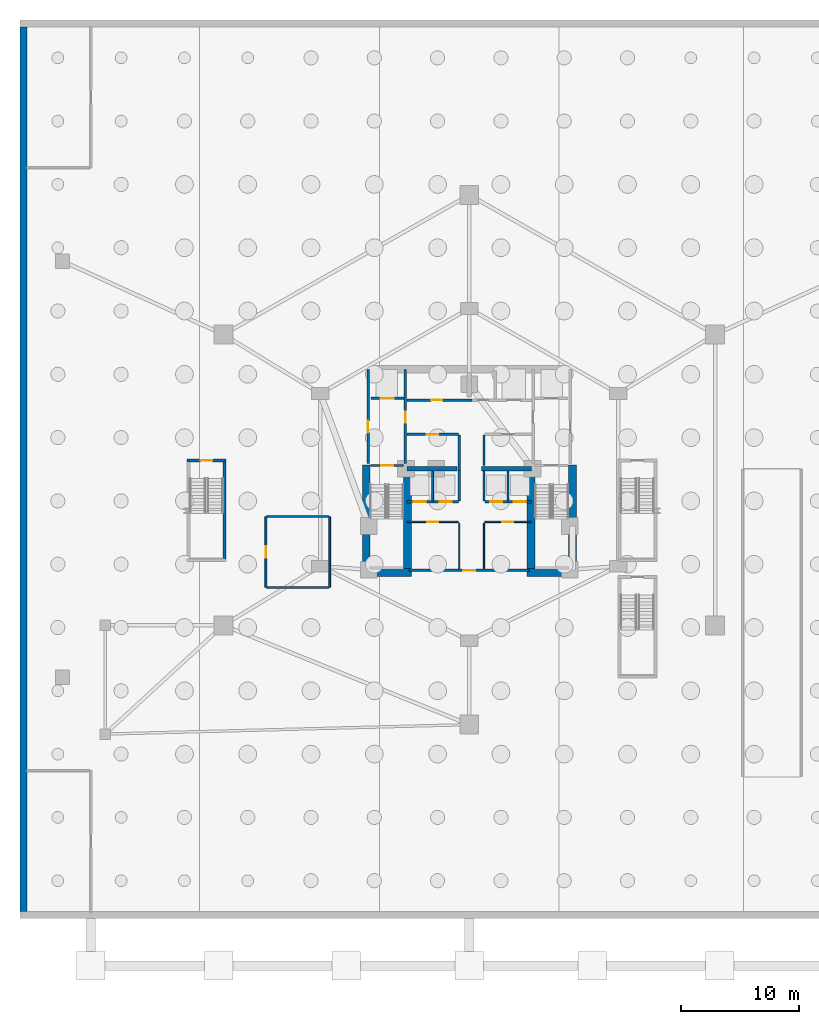
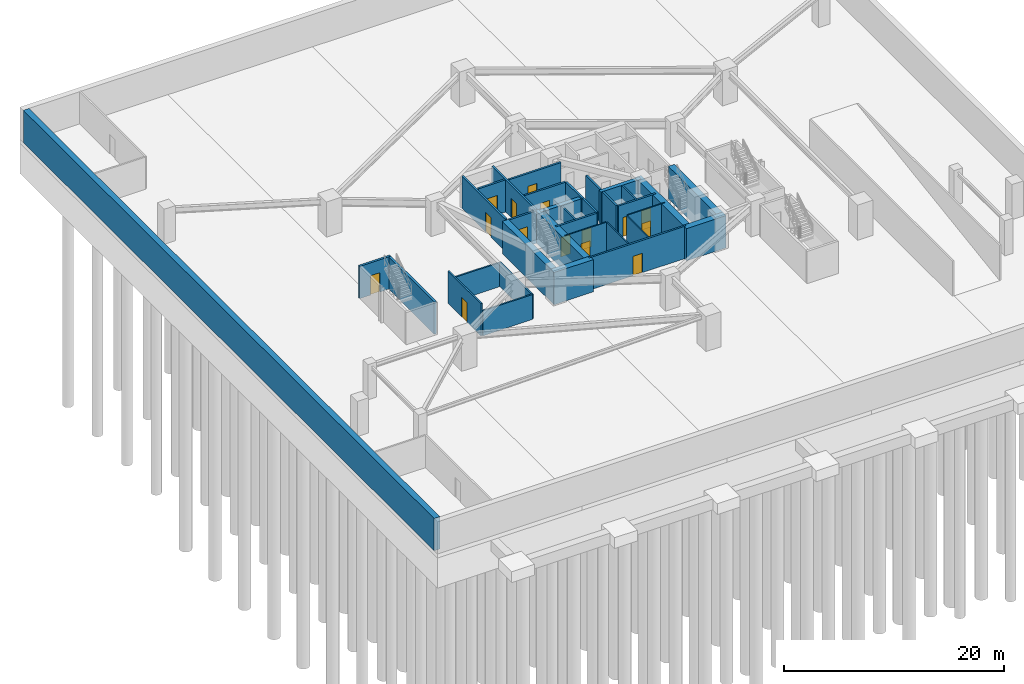
# One storey, part 7 of 14: 34 walls, 15 doors, 15 openings.
"""IFC4 building model written with IfcOpenShell, lengths in metres."""

import ifcopenshell
import ifcopenshell.guid

model = None  # the IFC model being written
_history = None  # IfcOwnerHistory: only IFC2X3 demands one
_inside = {}  # id of a spatial element -> (the spatial element, [elements in it])
_under = {}  # id of a project, library or spatial element -> (it, [spatial elements below it])
_declared = {}  # id of a project -> (the project, [libraries it declares])
_typed = {}  # id of a type object -> (the type object, [elements of that type])
_made_of = {}  # id of a material, layer set ... -> (it, [elements and type objects made of it])


def new_model(schema):
    """Start an empty IFC model of exactly this schema.

    Asked for "IFC4X3", IfcOpenShell would pick the latest addendum, in which some entities
    have other attributes; the version numbers below select the first issue.
    IFC2X3 requires an IfcOwnerHistory on every rooted entity: one is made here for all.
    """
    global model, _history
    if schema == "IFC4X3":
        model = ifcopenshell.file(schema_version=(4, 3, 0, 0))
    else:
        model = ifcopenshell.file(schema=schema)
    _inside.clear()
    _under.clear()
    _declared.clear()
    _typed.clear()
    _made_of.clear()
    _history = None
    if model.schema == "IFC2X3":
        org = make("IfcOrganization", Name="unknown")
        user = make(
            "IfcPersonAndOrganization",
            ThePerson=make("IfcPerson", FamilyName="unknown"),
            TheOrganization=org,
        )
        app = make(
            "IfcApplication",
            ApplicationDeveloper=org,
            Version="unknown",
            ApplicationFullName="unknown",
            ApplicationIdentifier="unknown",
        )
        _history = make(
            "IfcOwnerHistory",
            OwningUser=user,
            OwningApplication=app,
            ChangeAction="ADDED",
            CreationDate=0,
        )
    return model


def make(cls, **values):
    """One entity of the class cls with the attributes given. An attribute that is None is left unset."""
    return model.create_entity(
        cls, **{name: value for name, value in values.items() if value is not None}
    )


def rooted(cls, **values):
    """An entity with a GlobalId (a new one), such as an element, a storey or a relation."""
    return make(cls, GlobalId=ifcopenshell.guid.new(), OwnerHistory=_history, **values)


def si_unit(unit_type, name, prefix=None):
    """IfcSIUnit, for example si_unit("LENGTHUNIT", "METRE", prefix="MILLI")."""
    return make("IfcSIUnit", UnitType=unit_type, Prefix=prefix, Name=name)


def assignment(units):
    """IfcUnitAssignment: the units of a project."""
    return None if units is None else make("IfcUnitAssignment", Units=units)


def point(xyz):
    """IfcCartesianPoint."""
    return None if xyz is None else make("IfcCartesianPoint", Coordinates=xyz)


def direction(xyz):
    """IfcDirection."""
    return None if xyz is None else make("IfcDirection", DirectionRatios=xyz)


def frame(location, z_axis=None, x_axis=None):
    """IfcAxis2Placement3D, a coordinate frame: its origin and axes. An axis left out is left unset."""
    return make(
        "IfcAxis2Placement3D",
        Location=point(location),
        Axis=direction(z_axis),
        RefDirection=direction(x_axis),
    )


def frame_2d(location, x_axis=None):
    """IfcAxis2Placement2D, a coordinate frame in the plane: its origin and x axis."""
    return make(
        "IfcAxis2Placement2D", Location=point(location), RefDirection=direction(x_axis)
    )


def origin():
    """The frame at (0, 0, 0) with its axes left unset."""
    return frame((0.0, 0.0, 0.0))


def place(relative_to, where):
    """IfcLocalPlacement: puts the frame where relative to a parent placement (None: the world)."""
    return make(
        "IfcLocalPlacement", PlacementRelTo=relative_to, RelativePlacement=where
    )


def context(
    kind, dimensions, precision=None, world=None, true_north=None, identifier=None
):
    """IfcGeometricRepresentationContext, for example the 3D "Model" context."""
    return make(
        "IfcGeometricRepresentationContext",
        ContextIdentifier=identifier,
        ContextType=kind,
        CoordinateSpaceDimension=dimensions,
        Precision=precision,
        WorldCoordinateSystem=world,
        TrueNorth=true_north,
    )


def subcontext(parent, identifier, kind, view, scale=None):
    """IfcGeometricRepresentationSubContext, for example "Body" below "Model"."""
    return make(
        "IfcGeometricRepresentationSubContext",
        ContextIdentifier=identifier,
        ContextType=kind,
        ParentContext=parent,
        TargetScale=scale,
        TargetView=view,
    )


def project(units=None, contexts=None):
    """IfcProject with its units and contexts."""
    return rooted(
        "IfcProject",
        Name="project",
        RepresentationContexts=contexts,
        UnitsInContext=assignment(units),
    )


def spatial(cls, under=None, at=None, **own):
    """A site, building, storey or space (cls), placed at a placement, below another one or the project."""
    s = rooted(cls, ObjectPlacement=at, **own)
    if under is not None:
        _under.setdefault(under.id(), (under, []))[1].append(s)
    return s


def profile(cls, at=None, kind="AREA", **sizes):
    """A parametric profile (cls). Its sizes go by their IFC names, for example OverallWidth=200.0."""
    return make(cls, ProfileType=kind, Position=at, **sizes)


def rectangle(**sizes):
    """IfcRectangleProfileDef."""
    return profile("IfcRectangleProfileDef", **sizes)


def extrude(swept, where, along, depth):
    """IfcExtrudedAreaSolid: the profile swept, set in the frame where, extruded along a direction by depth."""
    return make(
        "IfcExtrudedAreaSolid",
        SweptArea=swept,
        Position=where,
        ExtrudedDirection=direction(along),
        Depth=depth,
    )


def shape(context_of_items, identifier, shape_type, items):
    """IfcShapeRepresentation: the items that make up one representation, for example the "Body"."""
    return make(
        "IfcShapeRepresentation",
        ContextOfItems=context_of_items,
        RepresentationIdentifier=identifier,
        RepresentationType=shape_type,
        Items=items,
    )


def material(Name=None, Category=None):
    """IfcMaterial."""
    return make("IfcMaterial", Name=Name, Category=Category)


def layer(
    of_material, thickness, ventilated=None, Name=None, Category=None, Priority=None
):
    """IfcMaterialLayer: one layer of a wall or slab, of a material (None: an air gap)."""
    return make(
        "IfcMaterialLayer",
        Material=of_material,
        LayerThickness=thickness,
        IsVentilated=ventilated,
        Name=Name,
        Category=Category,
        Priority=Priority,
    )


def layer_set(layers, Name=None):
    """IfcMaterialLayerSet."""
    return make("IfcMaterialLayerSet", MaterialLayers=layers, LayerSetName=Name)


def made_of(thing, what):
    """Note that an element or type object is made of a material, layer set ...; save() writes the relation."""
    if what is not None:
        _made_of.setdefault(what.id(), (what, []))[1].append(thing)
    return thing


def type_object(cls, material=None, **own):
    """A type object (cls), such as IfcWallType, which elements share."""
    return made_of(rooted(cls, **own), material)


def element(
    cls,
    number,
    at=None,
    inside=None,
    cuts=None,
    type_object=None,
    material=None,
    context=None,
    identifier="Body",
    shape_type=None,
    held_by="IfcProductDefinitionShape",
    body=None,
    shapes=None,
    **own,
):
    """One element of the class cls, such as IfcWall. Its Tag is "e" and its number.

    at: its placement. inside: the storey or other place that contains it. cuts: it is an
    opening in that element (IfcRelVoidsElement). A single representation is given by context,
    identifier, shape_type and body (its items); several are given by shapes. held_by: the class
    of the entity that holds the representations. save() writes the other relations.
    """
    e = rooted(cls, Tag="e%d" % number, ObjectPlacement=at, **own)
    if body is not None:
        shapes = [shape(context, identifier, shape_type, body)]
    if shapes is not None:
        e.Representation = make(held_by, Representations=shapes)
    if inside is not None:
        _inside.setdefault(inside.id(), (inside, []))[1].append(e)
    if cuts is not None:
        rooted(
            "IfcRelVoidsElement", RelatingBuildingElement=cuts, RelatedOpeningElement=e
        )
    if type_object is not None:
        _typed.setdefault(type_object.id(), (type_object, []))[1].append(e)
    return made_of(e, material)


def fill(opening, filler):
    """IfcRelFillsElement: the door or window that sits in an opening."""
    return rooted(
        "IfcRelFillsElement",
        RelatingOpeningElement=opening,
        RelatedBuildingElement=filler,
    )


def aggregate(whole, parts):
    """IfcRelAggregates: a whole, such as a stair, and the parts it consists of."""
    return rooted("IfcRelAggregates", RelatingObject=whole, RelatedObjects=parts)


def save(model, path):
    """Write the relations noted so far, then the file.

    IfcRelAggregates (storeys below a building ...), IfcRelContainedInSpatialStructure (elements
    in a storey), IfcRelDefinesByType, IfcRelAssociatesMaterial and IfcRelDeclares: one each for
    every whole, place, type object, material and project.
    """
    for whole, parts in _under.values():
        aggregate(whole, parts)
    for where, things in _inside.values():
        rooted(
            "IfcRelContainedInSpatialStructure",
            RelatedElements=things,
            RelatingStructure=where,
        )
    for kind, things in _typed.values():
        rooted("IfcRelDefinesByType", RelatedObjects=things, RelatingType=kind)
    for what, things in _made_of.values():
        rooted("IfcRelAssociatesMaterial", RelatedObjects=things, RelatingMaterial=what)
    for by, libraries in _declared.values():
        rooted("IfcRelDeclares", RelatingContext=by, RelatedDefinitions=libraries)
    model.write(path)


model = new_model("IFC4")

# Units and contexts
model_context = context("Model", 3, precision=1e-05, world=origin(), true_north=direction((0.0, 1.0)))
body_context = subcontext(model_context, "Body", "Model", "MODEL_VIEW")
ifc_project = project(units=[si_unit("LENGTHUNIT", "METRE"), si_unit("AREAUNIT", "SQUARE_METRE"), si_unit("VOLUMEUNIT", "CUBIC_METRE"), si_unit("PLANEANGLEUNIT", "RADIAN"), si_unit("MASSUNIT", "GRAM", prefix="KILO")], contexts=[model_context])

# Site, building, storey
site_placement = place(None, origin())
site = spatial("IfcSite", under=ifc_project, at=site_placement, CompositionType="ELEMENT")
building_placement = place(site_placement, origin())
building = spatial("IfcBuilding", under=site, at=building_placement, Name="Miruveldt Soraemaru", CompositionType="ELEMENT")
storey_placement = place(building_placement, frame((0.0, 0.0, -15.60009765625)))
storey = spatial("IfcBuildingStorey", under=building, at=storey_placement, Name="B4", CompositionType="ELEMENT", Elevation=-15.60009765625)

# Walls
ifc_material_1 = material(Name="Concrete C70/85 (70 MPa)", Category="concrete")
ifc_layer_1 = layer(ifc_material_1, 0.5, Name="Concrete C70/85 (70 MPa)", Category="concrete")
ifc_layer_set_1 = layer_set([ifc_layer_1], Name="Concrete C70/85 (70 MPa)")
wall_type_1 = type_object("IfcWallType", Name="WALL-BW-500", PredefinedType="SHEAR", material=ifc_layer_set_1)
for number, where, z_axis, x_axis, name in (
    (1, (38.75, 44.050048828125, 0.0), (0.0, 0.0, 1.0), (1.0, 0.0, 0.0), "B4 Core Buttress Shear Wall BW"),
    (2, (45.050048828125, 44.050048828125, 0.0), (0.0, 0.0, 1.0), (1.0, 0.0, 0.0), "B4 Core Buttress Shear Wall BE"),
):
    element("IfcWall", number, at=place(storey_placement, frame(where, z_axis=z_axis, x_axis=x_axis)), inside=storey, type_object=wall_type_1, Name=name, PredefinedType="SHEAR", context=body_context, shape_type="SweptSolid", body=[
        extrude(rectangle(XDim=4.199951171875, YDim=0.39990234375, at=frame_2d((2.10009765625, 0.0))), origin(), (0.0, 0.0, 1.0), 3.580078125),
    ])

# Wall, opening, door
ifc_material_2 = material(Name="Concrete C50/60 (50 MPa)", Category="concrete")
ifc_layer_2 = layer(ifc_material_2, 0.419921875, Name="Concrete C50/60 (50 MPa)", Category="concrete")
ifc_layer_set_2 = layer_set([ifc_layer_2], Name="Concrete C50/60 (50 MPa)")
wall_type_2 = type_object("IfcWallType", Name="WALL-CW-420", PredefinedType="SHEAR", material=ifc_layer_set_2)
wall_1_placement = place(storey_placement, frame((20.1298828125, 44.75, 0.0), z_axis=(0.0, 0.0, 1.0), x_axis=(1.0, 0.0, 0.0)))
wall_1 = element("IfcWall", 3, at=wall_1_placement, inside=storey, type_object=wall_type_2, Name="B4 Protected Exit Stair ST-3 Structural Shaft Wall N", PredefinedType="SHEAR", context=body_context, shape_type="SweptSolid", body=[
    extrude(rectangle(XDim=3.2900390625, YDim=0.239990234375, at=frame_2d((1.64501953125, 0.0))), origin(), (0.0, 0.0, 1.0), 3.580078125),
])
opening_1_placement = place(wall_1_placement, frame((1.14501953125, 0.0, 0.0)))
opening_1 = element("IfcOpeningElement", 4, at=opening_1_placement, cuts=wall_1, Name="Opening FD1", PredefinedType="OPENING", context=body_context, shape_type="SweptSolid", body=[
    extrude(rectangle(XDim=1.0, YDim=2.14990234375, at=frame_2d((0.5, 1.074951171875))), frame((0.0, 0.1298828125, 0.0), z_axis=(0.0, -1.0, 0.0), x_axis=(1.0, 0.0, 0.0)), (0.0, 0.0, 1.0), 0.260009765625),
])
ifc_material_3 = material(Name="Anodised aluminium EN AW-6063 T6", Category="aluminium")
door_type_1 = type_object("IfcDoorType", Name="DOOR-FD1-1000", OperationType="NOTDEFINED", PredefinedType="DOOR", material=ifc_material_3)
door_1_placement = place(opening_1_placement, frame((1.0, 0.0, 0.0), z_axis=(0.0, 0.0, 1.0), x_axis=(-1.0, 0.0, 0.0)))
door_1 = element("IfcDoor", 5, at=door_1_placement, inside=storey, type_object=door_type_1, Name="B4 Protected Exit Stair ST-3 Fire Door", OperationType="SINGLE_SWING_LEFT", OverallHeight=2.14990234375, OverallWidth=1.0, PredefinedType="DOOR", context=body_context, shape_type="SweptSolid", body=[
    extrude(rectangle(XDim=1.0, YDim=2.14990234375, at=frame_2d((0.5, 1.074951171875))), frame((0.0, 0.02490234375, 0.0), z_axis=(0.0, -1.0, 0.0), x_axis=(1.0, 0.0, 0.0)), (0.0, 0.0, 1.0), 0.050048828125),
])
fill(opening_1, door_1)

# Walls
wall_2_placement = place(storey_placement, frame((23.300048828125, 36.35009765625, 0.0), z_axis=(0.0, 0.0, 1.0), x_axis=(0.0, 1.0, 0.0)))
element("IfcWall", 6, at=wall_2_placement, inside=storey, type_object=wall_type_2, Name="B4 Protected Exit Stair ST-3 Structural Shaft Wall E", PredefinedType="SHEAR", context=body_context, shape_type="SweptSolid", body=[
    extrude(rectangle(XDim=8.349853515625, YDim=0.239990234375, at=frame_2d((4.1748046875, 0.0))), origin(), (0.0, 0.0, 1.0), 3.580078125),
])
ifc_material_4 = material(Name="Concrete C80/95 (80 MPa)", Category="concrete")
ifc_layer_3 = layer(ifc_material_4, 0.64990234375, Name="Concrete C80/95 (80 MPa)", Category="concrete")
ifc_layer_set_3 = layer_set([ifc_layer_3], Name="Concrete C80/95 (80 MPa)")
wall_type_3 = type_object("IfcWallType", Name="WALL-CW-650", PredefinedType="SHEAR", material=ifc_layer_set_3)
for number, where, z_axis, x_axis, name in (
    (7, (34.949951171875, 35.27490234375, 0.0), (0.0, 0.0, 1.0), (1.0, 0.0, 0.0), "B4 Central Core Shear Wall S1"),
    (8, (48.89990234375, 35.27490234375, 0.0), (0.0, 0.0, 1.0), (1.0, 0.0, 0.0), "B4 Central Core Shear Wall S2"),
):
    element("IfcWall", number, at=place(storey_placement, frame(where, z_axis=z_axis, x_axis=x_axis)), inside=storey, type_object=wall_type_3, Name=name, PredefinedType="SHEAR", context=body_context, shape_type="SweptSolid", body=[
        extrude(rectangle(XDim=4.150146484375, YDim=0.64990234375, at=frame_2d((2.0751953125, 0.0))), origin(), (0.0, 0.0, 1.0), 3.580078125),
    ])
for number, where, z_axis, x_axis, name in (
    (9, (35.27490234375, 34.949951171875, 0.0), (0.0, 0.0, 1.0), (0.0, 1.0, 0.0), "B4 Central Core Shear Wall W1"),
    (10, (52.72509765625, 34.949951171875, 0.0), (0.0, 0.0, 1.0), (0.0, 1.0, 0.0), "B4 Central Core Shear Wall E1"),
):
    element("IfcWall", number, at=place(storey_placement, frame(where, z_axis=z_axis, x_axis=x_axis)), inside=storey, type_object=wall_type_3, Name=name, PredefinedType="SHEAR", context=body_context, shape_type="SweptSolid", body=[
        extrude(rectangle(XDim=9.400146484375, YDim=0.64990234375, at=frame_2d((4.7001953125, 0.0))), origin(), (0.0, 0.0, 1.0), 3.580078125),
    ])
for number, where, z_axis, x_axis, name in (
    (11, (38.77490234375, 35.39990234375, 0.0), (0.0, 0.0, 1.0), (0.0, 1.0, 0.0), "B4 Central Core Shear Wall SW-INT"),
    (12, (49.22509765625, 35.39990234375, 0.0), (0.0, 0.0, 1.0), (0.0, 1.0, 0.0), "B4 Central Core Shear Wall SE-INT"),
):
    element("IfcWall", number, at=place(storey_placement, frame(where, z_axis=z_axis, x_axis=x_axis)), inside=storey, type_object=wall_type_3, Name=name, PredefinedType="SHEAR", context=body_context, shape_type="SweptSolid", body=[
        extrude(rectangle(XDim=8.9501953125, YDim=0.64990234375, at=frame_2d((4.47509765625, 0.0))), origin(), (0.0, 0.0, 1.0), 3.580078125),
    ])

# Wall, opening, door
ifc_material_5 = material(Name="Gypsum plasterboard lining", Category="gypsum")
ifc_layer_4 = layer(ifc_material_5, 0.1201171875, Name="Gypsum plasterboard lining", Category="gypsum")
ifc_layer_set_4 = layer_set([ifc_layer_4], Name="Gypsum plasterboard lining")
wall_type_4 = type_object("IfcWallType", Name="WALL-INT-P120", PredefinedType="PARTITIONING", material=ifc_layer_set_4)
wall_3_placement = place(storey_placement, frame((38.75, 39.550048828125, 0.0), z_axis=(0.0, 0.0, 1.0), x_axis=(1.0, 0.0, 0.0)))
wall_3 = element("IfcWall", 13, at=wall_3_placement, inside=storey, type_object=wall_type_4, Name="B4 Core Compartment Wall CSW-N", PredefinedType="PARTITIONING", context=body_context, shape_type="SweptSolid", body=[
    extrude(rectangle(XDim=4.330078125, YDim=0.1201171875, at=frame_2d((2.1650390625, 0.0))), origin(), (0.0, 0.0, 1.0), 3.580078125),
])
opening_2_placement = place(wall_3_placement, frame((1.68994140625, 0.0, 0.0)))
opening_2 = element("IfcOpeningElement", 14, at=opening_2_placement, cuts=wall_3, Name="Opening D3A", PredefinedType="OPENING", context=body_context, shape_type="SweptSolid", body=[
    extrude(rectangle(XDim=0.919921875, YDim=2.10009765625, at=frame_2d((0.4599609375, 1.050048828125))), frame((0.0, 0.070068359375, 0.0), z_axis=(0.0, -1.0, 0.0), x_axis=(1.0, 0.0, 0.0)), (0.0, 0.0, 1.0), 0.14013671875),
])
door_type_2 = type_object("IfcDoorType", Name="DOOR-INT-920", OperationType="NOTDEFINED", PredefinedType="DOOR", material=ifc_material_3)
door_2_placement = place(opening_2_placement, origin())
door_2 = element("IfcDoor", 15, at=door_2_placement, inside=storey, type_object=door_type_2, Name="B4 Fire Door", OperationType="SINGLE_SWING_LEFT", OverallHeight=2.10009765625, OverallWidth=0.919921875, PredefinedType="DOOR", context=body_context, shape_type="SweptSolid", body=[
    extrude(rectangle(XDim=0.919921875, YDim=2.10009765625, at=frame_2d((0.4599609375, 1.050048828125))), frame((0.0, 0.02490234375, 0.0), z_axis=(0.0, -1.0, 0.0), x_axis=(1.0, 0.0, 0.0)), (0.0, 0.0, 1.0), 0.050048828125),
])
fill(opening_2, door_2)

wall_4_placement = place(storey_placement, frame((45.320068359375, 39.550048828125, 0.0), z_axis=(0.0, 0.0, 1.0), x_axis=(1.0, 0.0, 0.0)))
wall_4 = element("IfcWall", 16, at=wall_4_placement, inside=storey, type_object=wall_type_4, Name="B4 Core Compartment Wall CSE-N", PredefinedType="PARTITIONING", context=body_context, shape_type="SweptSolid", body=[
    extrude(rectangle(XDim=3.929931640625, YDim=0.1201171875, at=frame_2d((1.96484375, 0.0))), origin(), (0.0, 0.0, 1.0), 3.580078125),
])
opening_3_placement = place(wall_4_placement, frame((1.489990234375, 0.0, 0.0)))
opening_3 = element("IfcOpeningElement", 17, at=opening_3_placement, cuts=wall_4, Name="Opening D3A", PredefinedType="OPENING", context=body_context, shape_type="SweptSolid", body=[
    extrude(rectangle(XDim=0.919921875, YDim=2.10009765625, at=frame_2d((0.4599609375, 1.050048828125))), frame((0.0, 0.070068359375, 0.0), z_axis=(0.0, -1.0, 0.0), x_axis=(1.0, 0.0, 0.0)), (0.0, 0.0, 1.0), 0.14013671875),
])
door_3_placement = place(opening_3_placement, origin())
door_3 = element("IfcDoor", 18, at=door_3_placement, inside=storey, type_object=door_type_2, Name="B4 Fire Door", OperationType="SINGLE_SWING_LEFT", OverallHeight=2.10009765625, OverallWidth=0.919921875, PredefinedType="DOOR", context=body_context, shape_type="SweptSolid", body=[
    extrude(rectangle(XDim=0.919921875, YDim=2.10009765625, at=frame_2d((0.4599609375, 1.050048828125))), frame((0.0, 0.02490234375, 0.0), z_axis=(0.0, -1.0, 0.0), x_axis=(1.0, 0.0, 0.0)), (0.0, 0.0, 1.0), 0.050048828125),
])
fill(opening_3, door_3)

# Walls
for number, where, z_axis, x_axis, name in (
    (19, (43.14990234375, 35.580078125, 0.0), (0.0, 0.0, 1.0), (0.0, 1.0, 0.0), "B4 Core Compartment Wall SP-WS"),
    (20, (45.25, 35.580078125, 0.0), (0.0, 0.0, 1.0), (0.0, 1.0, 0.0), "B4 Core Compartment Wall SP-ES"),
):
    element("IfcWall", number, at=place(storey_placement, frame(where, z_axis=z_axis, x_axis=x_axis)), inside=storey, type_object=wall_type_4, Name=name, PredefinedType="PARTITIONING", context=body_context, shape_type="SweptSolid", body=[
        extrude(rectangle(XDim=3.869873046875, YDim=0.1201171875, at=frame_2d((1.93505859375, 0.0))), origin(), (0.0, 0.0, 1.0), 3.580078125),
    ])

# Wall, opening, door
ifc_material_6 = material(Name="Concrete C40/50 (40 MPa)", Category="concrete")
ifc_layer_5 = layer(ifc_material_6, 0.159912109375, Name="Concrete C40/50 (40 MPa)", Category="concrete")
ifc_layer_set_5 = layer_set([ifc_layer_5], Name="Concrete C40/50 (40 MPa)")
wall_type_5 = type_object("IfcWallType", Name="WALL-INT-RC160", PredefinedType="SOLIDWALL", material=ifc_layer_set_5)
wall_5_placement = place(storey_placement, frame((26.800048828125, 34.0, 0.0), z_axis=(0.0, 0.0, 1.0), x_axis=(0.0, 1.0, 0.0)))
wall_5 = element("IfcWall", 21, at=wall_5_placement, inside=storey, type_object=wall_type_5, Name="B4 Partition Wall 5", PredefinedType="SOLIDWALL", context=body_context, shape_type="SweptSolid", body=[
    extrude(rectangle(XDim=6.0, YDim=0.159912109375, at=frame_2d((3.0, 0.0))), origin(), (0.0, 0.0, 1.0), 3.580078125),
])
opening_4_placement = place(wall_5_placement, frame((2.5, 0.0, 0.0)))
opening_4 = element("IfcOpeningElement", 22, at=opening_4_placement, cuts=wall_5, Name="Opening FD1", PredefinedType="OPENING", context=body_context, shape_type="SweptSolid", body=[
    extrude(rectangle(XDim=1.0, YDim=2.14990234375, at=frame_2d((0.5, 1.074951171875))), frame((0.0, 0.08984375, 0.0), z_axis=(0.0, -1.0, 0.0), x_axis=(1.0, 0.0, 0.0)), (0.0, 0.0, 1.0), 0.179931640625),
])
door_4_placement = place(opening_4_placement, origin())
door_4 = element("IfcDoor", 23, at=door_4_placement, inside=storey, type_object=door_type_1, Name="B4 B4 Seasonal Resident Store Fire Door", OperationType="SINGLE_SWING_RIGHT", OverallHeight=2.14990234375, OverallWidth=1.0, PredefinedType="DOOR", context=body_context, shape_type="SweptSolid", body=[
    extrude(rectangle(XDim=1.0, YDim=2.14990234375, at=frame_2d((0.5, 1.074951171875))), frame((0.0, 0.02490234375, 0.0), z_axis=(0.0, -1.0, 0.0), x_axis=(1.0, 0.0, 0.0)), (0.0, 0.0, 1.0), 0.050048828125),
])
fill(opening_4, door_4)

# Walls
wall_6_placement = place(storey_placement, frame((32.199951171875, 40.0, 0.0), z_axis=(0.0, 0.0, 1.0), x_axis=(0.0, -1.0, 0.0)))
element("IfcWall", 24, at=wall_6_placement, inside=storey, type_object=wall_type_5, Name="B4 Partition Wall 7", PredefinedType="SOLIDWALL", context=body_context, shape_type="SweptSolid", body=[
    extrude(rectangle(XDim=6.0, YDim=0.159912109375, at=frame_2d((3.0, 0.0))), origin(), (0.0, 0.0, 1.0), 2.668212890625),
])
wall_7_placement = place(storey_placement, frame((26.8798828125, 40.0, 0.0), z_axis=(0.0, 0.0, 1.0), x_axis=(1.0, 0.0, 0.0)))
element("IfcWall", 25, at=wall_7_placement, inside=storey, type_object=wall_type_5, Name="B4 Partition Wall 6", PredefinedType="SOLIDWALL", context=body_context, shape_type="SweptSolid", body=[
    extrude(rectangle(XDim=5.240234375, YDim=0.159912109375, at=frame_2d((2.6201171875, 0.0))), origin(), (0.0, 0.0, 1.0), 2.668212890625),
])
wall_8_placement = place(storey_placement, frame((32.1201171875, 34.0, 0.0), z_axis=(0.0, 0.0, 1.0), x_axis=(-1.0, 0.0, 0.0)))
element("IfcWall", 26, at=wall_8_placement, inside=storey, type_object=wall_type_5, Name="B4 Partition Wall 8", PredefinedType="SOLIDWALL", context=body_context, shape_type="SweptSolid", body=[
    extrude(rectangle(XDim=5.240234375, YDim=0.159912109375, at=frame_2d((2.6201171875, 0.0))), origin(), (0.0, 0.0, 1.0), 2.76806640625),
])
for number, where, z_axis, x_axis, name in (
    (27, (40.89990234375, 41.320068359375, 0.0), (0.0, 0.0, 1.0), (0.0, 1.0, 0.0), "B4 Core Compartment Wall PLL-DW"),
    (28, (47.280029296875, 41.320068359375, 0.0), (0.0, 0.0, 1.0), (0.0, 1.0, 0.0), "B4 Core Compartment Wall PLL-DE"),
):
    element("IfcWall", number, at=place(storey_placement, frame(where, z_axis=z_axis, x_axis=x_axis)), inside=storey, type_object=wall_type_5, Name=name, PredefinedType="SOLIDWALL", context=body_context, shape_type="SweptSolid", body=[
        extrude(rectangle(XDim=2.530029296875, YDim=0.159912109375, at=frame_2d((1.26513671875, 0.0))), origin(), (0.0, 0.0, 1.0), 3.580078125),
    ])

# Wall, opening, door
ifc_layer_6 = layer(ifc_material_6, 0.199951171875, Name="Concrete C40/50 (40 MPa)", Category="concrete")
ifc_layer_set_6 = layer_set([ifc_layer_6], Name="Concrete C40/50 (40 MPa)")
wall_type_6 = type_object("IfcWallType", Name="WALL-INT-RC200", PredefinedType="SOLIDWALL", material=ifc_layer_set_6)
wall_9_placement = place(storey_placement, frame((38.89990234375, 35.449951171875, 0.0), z_axis=(0.0, 0.0, 1.0), x_axis=(1.0, 0.0, 0.0)))
wall_9 = element("IfcWall", 29, at=wall_9_placement, inside=storey, type_object=wall_type_6, Name="B4 Core Compartment Wall CS-S", PredefinedType="SOLIDWALL", context=body_context, shape_type="SweptSolid", body=[
    extrude(rectangle(XDim=10.2001953125, YDim=0.199951171875, at=frame_2d((5.10009765625, 0.0))), origin(), (0.0, 0.0, 1.0), 3.580078125),
])
opening_5_placement = place(wall_9_placement, frame((4.60009765625, 0.0, 0.0)))
opening_5 = element("IfcOpeningElement", 30, at=opening_5_placement, cuts=wall_9, Name="Opening FD1", PredefinedType="OPENING", context=body_context, shape_type="SweptSolid", body=[
    extrude(rectangle(XDim=1.0, YDim=2.14990234375, at=frame_2d((0.5, 1.074951171875))), frame((0.0, 0.10986328125, 0.0), z_axis=(0.0, -1.0, 0.0), x_axis=(1.0, 0.0, 0.0)), (0.0, 0.0, 1.0), 0.219970703125),
])
door_5_placement = place(opening_5_placement, origin())
door_5 = element("IfcDoor", 31, at=door_5_placement, inside=storey, type_object=door_type_1, Name="B4 Core South Lobby Fire Door", OperationType="SINGLE_SWING_LEFT", OverallHeight=2.14990234375, OverallWidth=1.0, PredefinedType="DOOR", context=body_context, shape_type="SweptSolid", body=[
    extrude(rectangle(XDim=1.0, YDim=2.14990234375, at=frame_2d((0.5, 1.074951171875))), frame((0.0, 0.02490234375, 0.0), z_axis=(0.0, -1.0, 0.0), x_axis=(1.0, 0.0, 0.0)), (0.0, 0.0, 1.0), 0.050048828125),
])
fill(opening_5, door_5)

wall_10_placement = place(storey_placement, frame((35.449951171875, 44.5, 0.0), z_axis=(0.0, 0.0, 1.0), x_axis=(0.0, 1.0, 0.0)))
wall_10 = element("IfcWall", 32, at=wall_10_placement, inside=storey, type_object=wall_type_6, Name="B4 Core Compartment Wall FFW-OUT", PredefinedType="SOLIDWALL", context=body_context, shape_type="SweptSolid", body=[
    extrude(rectangle(XDim=7.919921875, YDim=0.199951171875, at=frame_2d((3.9599609375, 0.0))), origin(), (0.0, 0.0, 1.0), 3.580078125),
])
opening_6_placement = place(wall_10_placement, frame((2.60009765625, 0.0, 0.0)))
opening_6 = element("IfcOpeningElement", 33, at=opening_6_placement, cuts=wall_10, Name="Opening FD1", PredefinedType="OPENING", context=body_context, shape_type="SweptSolid", body=[
    extrude(rectangle(XDim=1.0, YDim=2.14990234375, at=frame_2d((0.5, 1.074951171875))), frame((0.0, 0.10986328125, 0.0), z_axis=(0.0, -1.0, 0.0), x_axis=(1.0, 0.0, 0.0)), (0.0, 0.0, 1.0), 0.219970703125),
])
door_6_placement = place(opening_6_placement, origin())
door_6 = element("IfcDoor", 34, at=door_6_placement, inside=storey, type_object=door_type_1, Name="B4 West Firefighting Lobby Exit Door", OperationType="SINGLE_SWING_LEFT", OverallHeight=2.14990234375, OverallWidth=1.0, PredefinedType="DOOR", context=body_context, shape_type="SweptSolid", body=[
    extrude(rectangle(XDim=1.0, YDim=2.14990234375, at=frame_2d((0.5, 1.074951171875))), frame((0.0, 0.02490234375, 0.0), z_axis=(0.0, -1.0, 0.0), x_axis=(1.0, 0.0, 0.0)), (0.0, 0.0, 1.0), 0.050048828125),
])
fill(opening_6, door_6)

wall_11_placement = place(storey_placement, frame((38.60009765625, 44.5, 0.0), z_axis=(0.0, 0.0, 1.0), x_axis=(0.0, 1.0, 0.0)))
wall_11 = element("IfcWall", 35, at=wall_11_placement, inside=storey, type_object=wall_type_6, Name="B4 Core Compartment Wall FFW-IN", PredefinedType="SOLIDWALL", context=body_context, shape_type="SweptSolid", body=[
    extrude(rectangle(XDim=7.919921875, YDim=0.199951171875, at=frame_2d((3.9599609375, 0.0))), origin(), (0.0, 0.0, 1.0), 3.580078125),
])
opening_7_placement = place(wall_11_placement, frame((3.425048828125, 0.0, 0.0)))
opening_7 = element("IfcOpeningElement", 36, at=opening_7_placement, cuts=wall_11, Name="Opening FD2", PredefinedType="OPENING", context=body_context, shape_type="SweptSolid", body=[
    extrude(rectangle(XDim=0.949951171875, YDim=2.14990234375, at=frame_2d((0.47509765625, 1.074951171875))), frame((0.0, 0.10986328125, 0.0), z_axis=(0.0, -1.0, 0.0), x_axis=(1.0, 0.0, 0.0)), (0.0, 0.0, 1.0), 0.219970703125),
])
door_type_3 = type_object("IfcDoorType", Name="DOOR-FD2-950", OperationType="NOTDEFINED", PredefinedType="DOOR", material=ifc_material_3)
door_7_placement = place(opening_7_placement, frame((0.949951171875, 0.0, 0.0), z_axis=(0.0, 0.0, 1.0), x_axis=(-1.0, 0.0, 0.0)))
door_7 = element("IfcDoor", 37, at=door_7_placement, inside=storey, type_object=door_type_3, Name="B4 Lift Lobby to West Fire Lobby Door", OperationType="SINGLE_SWING_RIGHT", OverallHeight=2.14990234375, OverallWidth=0.949951171875, PredefinedType="DOOR", context=body_context, shape_type="SweptSolid", body=[
    extrude(rectangle(XDim=0.949951171875, YDim=2.14990234375, at=frame_2d((0.47509765625, 1.074951171875))), frame((0.0, 0.02490234375, 0.0), z_axis=(0.0, -1.0, 0.0), x_axis=(1.0, 0.0, 0.0)), (0.0, 0.0, 1.0), 0.050048828125),
])
fill(opening_7, door_7)

wall_12_placement = place(storey_placement, frame((38.75, 49.85009765625, 0.0), z_axis=(0.0, 0.0, 1.0), x_axis=(1.0, 0.0, 0.0)))
wall_12 = element("IfcWall", 38, at=wall_12_placement, inside=storey, type_object=wall_type_6, Name="B4 Core Compartment Wall ROWA-SW", PredefinedType="SOLIDWALL", context=body_context, shape_type="SweptSolid", body=[
    extrude(rectangle(XDim=5.5, YDim=0.199951171875, at=frame_2d((2.75, 0.0))), origin(), (0.0, 0.0, 1.0), 3.580078125),
])
opening_8_placement = place(wall_12_placement, frame((2.02490234375, 0.0, 0.0)))
opening_8 = element("IfcOpeningElement", 39, at=opening_8_placement, cuts=wall_12, Name="Opening FD2", PredefinedType="OPENING", context=body_context, shape_type="SweptSolid", body=[
    extrude(rectangle(XDim=0.949951171875, YDim=2.14990234375, at=frame_2d((0.47509765625, 1.074951171875))), frame((0.0, 0.10986328125, 0.0), z_axis=(0.0, -1.0, 0.0), x_axis=(1.0, 0.0, 0.0)), (0.0, 0.0, 1.0), 0.219970703125),
])
door_8_placement = place(opening_8_placement, origin())
door_8 = element("IfcDoor", 40, at=door_8_placement, inside=storey, type_object=door_type_3, Name="B4 Fire Door", OperationType="SINGLE_SWING_LEFT", OverallHeight=2.14990234375, OverallWidth=0.949951171875, PredefinedType="DOOR", context=body_context, shape_type="SweptSolid", body=[
    extrude(rectangle(XDim=0.949951171875, YDim=2.14990234375, at=frame_2d((0.47509765625, 1.074951171875))), frame((0.0, 0.02490234375, 0.0), z_axis=(0.0, -1.0, 0.0), x_axis=(1.0, 0.0, 0.0)), (0.0, 0.0, 1.0), 0.050048828125),
])
fill(opening_8, door_8)

wall_13_placement = place(storey_placement, frame((38.75, 46.949951171875, 0.0), z_axis=(0.0, 0.0, 1.0), x_axis=(1.0, 0.0, 0.0)))
wall_13 = element("IfcWall", 41, at=wall_13_placement, inside=storey, type_object=wall_type_6, Name="B4 Core Compartment Wall MBW-N", PredefinedType="SOLIDWALL", context=body_context, shape_type="SweptSolid", body=[
    extrude(rectangle(XDim=4.330078125, YDim=0.199951171875, at=frame_2d((2.1650390625, 0.0))), origin(), (0.0, 0.0, 1.0), 3.580078125),
])
opening_9_placement = place(wall_13_placement, frame((1.675048828125, 0.0, 0.0)))
opening_9 = element("IfcOpeningElement", 42, at=opening_9_placement, cuts=wall_13, Name="Opening FD2", PredefinedType="OPENING", context=body_context, shape_type="SweptSolid", body=[
    extrude(rectangle(XDim=0.949951171875, YDim=2.14990234375, at=frame_2d((0.47509765625, 1.074951171875))), frame((0.0, 0.10986328125, 0.0), z_axis=(0.0, -1.0, 0.0), x_axis=(1.0, 0.0, 0.0)), (0.0, 0.0, 1.0), 0.219970703125),
])
door_9_placement = place(opening_9_placement, origin())
door_9 = element("IfcDoor", 43, at=door_9_placement, inside=storey, type_object=door_type_3, Name="B4 Fire Door", OperationType="SINGLE_SWING_LEFT", OverallHeight=2.14990234375, OverallWidth=0.949951171875, PredefinedType="DOOR", context=body_context, shape_type="SweptSolid", body=[
    extrude(rectangle(XDim=0.949951171875, YDim=2.14990234375, at=frame_2d((0.47509765625, 1.074951171875))), frame((0.0, 0.02490234375, 0.0), z_axis=(0.0, -1.0, 0.0), x_axis=(1.0, 0.0, 0.0)), (0.0, 0.0, 1.0), 0.050048828125),
])
fill(opening_9, door_9)

# Wall, openings, doors
wall_14_placement = place(storey_placement, frame((38.75, 41.25, 0.0), z_axis=(0.0, 0.0, 1.0), x_axis=(1.0, 0.0, 0.0)))
wall_14 = element("IfcWall", 44, at=wall_14_placement, inside=storey, type_object=wall_type_6, Name="B4 Core Compartment Wall LBW-S", PredefinedType="SOLIDWALL", context=body_context, shape_type="SweptSolid", body=[
    extrude(rectangle(XDim=4.330078125, YDim=0.199951171875, at=frame_2d((2.1650390625, 0.0))), origin(), (0.0, 0.0, 1.0), 3.580078125),
])
opening_10_placement = place(wall_14_placement, frame((0.550048828125, 0.0, 0.0)))
opening_10 = element("IfcOpeningElement", 45, at=opening_10_placement, cuts=wall_14, Name="Opening LD1B", PredefinedType="OPENING", context=body_context, shape_type="SweptSolid", body=[
    extrude(rectangle(XDim=1.0, YDim=2.14990234375, at=frame_2d((0.5, 1.074951171875))), frame((0.0, 0.10986328125, 0.0), z_axis=(0.0, -1.0, 0.0), x_axis=(1.0, 0.0, 0.0)), (0.0, 0.0, 1.0), 0.219970703125),
])
opening_11_placement = place(wall_14_placement, frame((2.75, 0.0, 0.0)))
opening_11 = element("IfcOpeningElement", 46, at=opening_11_placement, cuts=wall_14, Name="Opening LD1B", PredefinedType="OPENING", context=body_context, shape_type="SweptSolid", body=[
    extrude(rectangle(XDim=1.0, YDim=2.14990234375, at=frame_2d((0.5, 1.074951171875))), frame((0.0, 0.10986328125, 0.0), z_axis=(0.0, -1.0, 0.0), x_axis=(1.0, 0.0, 0.0)), (0.0, 0.0, 1.0), 0.219970703125),
])
door_type_4 = type_object("IfcDoorType", Name="DOOR-LD1-1000", OperationType="SLIDING_TO_LEFT", PredefinedType="DOOR", material=ifc_material_3)
door_10_placement = place(opening_10_placement, frame((1.0, 0.0, 0.0), z_axis=(0.0, 0.0, 1.0), x_axis=(-1.0, 0.0, 0.0)))
door_10 = element("IfcDoor", 47, at=door_10_placement, inside=storey, type_object=door_type_4, Name="B4 PL-L1 Landing Door", OperationType="SLIDING_TO_LEFT", OverallHeight=2.14990234375, OverallWidth=1.0, PredefinedType="DOOR", context=body_context, shape_type="SweptSolid", body=[
    extrude(rectangle(XDim=1.0, YDim=2.14990234375, at=frame_2d((0.5, 1.074951171875))), frame((0.0, 0.02490234375, 0.0), z_axis=(0.0, -1.0, 0.0), x_axis=(1.0, 0.0, 0.0)), (0.0, 0.0, 1.0), 0.050048828125),
])
fill(opening_10, door_10)
door_11_placement = place(opening_11_placement, frame((1.0, 0.0, 0.0), z_axis=(0.0, 0.0, 1.0), x_axis=(-1.0, 0.0, 0.0)))
door_11 = element("IfcDoor", 48, at=door_11_placement, inside=storey, type_object=door_type_4, Name="B4 PL-L2 Landing Door", OperationType="SLIDING_TO_LEFT", OverallHeight=2.14990234375, OverallWidth=1.0, PredefinedType="DOOR", context=body_context, shape_type="SweptSolid", body=[
    extrude(rectangle(XDim=1.0, YDim=2.14990234375, at=frame_2d((0.5, 1.074951171875))), frame((0.0, 0.02490234375, 0.0), z_axis=(0.0, -1.0, 0.0), x_axis=(1.0, 0.0, 0.0)), (0.0, 0.0, 1.0), 0.050048828125),
])
fill(opening_11, door_11)

wall_15_placement = place(storey_placement, frame((45.320068359375, 41.25, 0.0), z_axis=(0.0, 0.0, 1.0), x_axis=(1.0, 0.0, 0.0)))
wall_15 = element("IfcWall", 49, at=wall_15_placement, inside=storey, type_object=wall_type_6, Name="B4 Core Compartment Wall LBE-S", PredefinedType="SOLIDWALL", context=body_context, shape_type="SweptSolid", body=[
    extrude(rectangle(XDim=3.929931640625, YDim=0.199951171875, at=frame_2d((1.96484375, 0.0))), origin(), (0.0, 0.0, 1.0), 3.580078125),
])
opening_12_placement = place(wall_15_placement, frame((0.449951171875, 0.0, 0.0)))
opening_12 = element("IfcOpeningElement", 50, at=opening_12_placement, cuts=wall_15, Name="Opening LD1B", PredefinedType="OPENING", context=body_context, shape_type="SweptSolid", body=[
    extrude(rectangle(XDim=1.0, YDim=2.14990234375, at=frame_2d((0.5, 1.074951171875))), frame((0.0, 0.10986328125, 0.0), z_axis=(0.0, -1.0, 0.0), x_axis=(1.0, 0.0, 0.0)), (0.0, 0.0, 1.0), 0.219970703125),
])
opening_13_placement = place(wall_15_placement, frame((2.449951171875, 0.0, 0.0)))
opening_13 = element("IfcOpeningElement", 51, at=opening_13_placement, cuts=wall_15, Name="Opening LD1B", PredefinedType="OPENING", context=body_context, shape_type="SweptSolid", body=[
    extrude(rectangle(XDim=1.0, YDim=2.14990234375, at=frame_2d((0.5, 1.074951171875))), frame((0.0, 0.10986328125, 0.0), z_axis=(0.0, -1.0, 0.0), x_axis=(1.0, 0.0, 0.0)), (0.0, 0.0, 1.0), 0.219970703125),
])
door_12_placement = place(opening_12_placement, frame((1.0, 0.0, 0.0), z_axis=(0.0, 0.0, 1.0), x_axis=(-1.0, 0.0, 0.0)))
door_12 = element("IfcDoor", 52, at=door_12_placement, inside=storey, type_object=door_type_4, Name="B4 PL-L3 Landing Door", OperationType="SLIDING_TO_LEFT", OverallHeight=2.14990234375, OverallWidth=1.0, PredefinedType="DOOR", context=body_context, shape_type="SweptSolid", body=[
    extrude(rectangle(XDim=1.0, YDim=2.14990234375, at=frame_2d((0.5, 1.074951171875))), frame((0.0, 0.02490234375, 0.0), z_axis=(0.0, -1.0, 0.0), x_axis=(1.0, 0.0, 0.0)), (0.0, 0.0, 1.0), 0.050048828125),
])
fill(opening_12, door_12)
door_13_placement = place(opening_13_placement, frame((1.0, 0.0, 0.0), z_axis=(0.0, 0.0, 1.0), x_axis=(-1.0, 0.0, 0.0)))
door_13 = element("IfcDoor", 53, at=door_13_placement, inside=storey, type_object=door_type_4, Name="B4 PL-L4 Landing Door", OperationType="SLIDING_TO_LEFT", OverallHeight=2.14990234375, OverallWidth=1.0, PredefinedType="DOOR", context=body_context, shape_type="SweptSolid", body=[
    extrude(rectangle(XDim=1.0, YDim=2.14990234375, at=frame_2d((0.5, 1.074951171875))), frame((0.0, 0.02490234375, 0.0), z_axis=(0.0, -1.0, 0.0), x_axis=(1.0, 0.0, 0.0)), (0.0, 0.0, 1.0), 0.050048828125),
])
fill(opening_13, door_13)

# Wall, opening, door
wall_16_placement = place(storey_placement, frame((35.64990234375, 44.320068359375, 0.0), z_axis=(0.0, 0.0, 1.0), x_axis=(1.0, 0.0, 0.0)))
wall_16 = element("IfcWall", 54, at=wall_16_placement, inside=storey, type_object=wall_type_6, Name="B4 Core Compartment Wall ST1-N", PredefinedType="SOLIDWALL", context=body_context, shape_type="SweptSolid", body=[
    extrude(rectangle(XDim=2.800048828125, YDim=0.199951171875, at=frame_2d((1.39990234375, 0.0))), origin(), (0.0, 0.0, 1.0), 3.580078125),
])
opening_14_placement = place(wall_16_placement, frame((0.89990234375, 0.0, 0.0)))
opening_14 = element("IfcOpeningElement", 55, at=opening_14_placement, cuts=wall_16, Name="Opening FD1", PredefinedType="OPENING", context=body_context, shape_type="SweptSolid", body=[
    extrude(rectangle(XDim=1.0, YDim=2.14990234375, at=frame_2d((0.5, 1.074951171875))), frame((0.0, 0.10986328125, 0.0), z_axis=(0.0, -1.0, 0.0), x_axis=(1.0, 0.0, 0.0)), (0.0, 0.0, 1.0), 0.219970703125),
])
door_14_placement = place(opening_14_placement, frame((1.0, 0.0, 0.0), z_axis=(0.0, 0.0, 1.0), x_axis=(-1.0, 0.0, 0.0)))
door_14 = element("IfcDoor", 56, at=door_14_placement, inside=storey, type_object=door_type_1, Name="B4 Stair ST-1 Fire Door", OperationType="SINGLE_SWING_LEFT", OverallHeight=2.14990234375, OverallWidth=1.0, PredefinedType="DOOR", context=body_context, shape_type="SweptSolid", body=[
    extrude(rectangle(XDim=1.0, YDim=2.14990234375, at=frame_2d((0.5, 1.074951171875))), frame((0.0, 0.02490234375, 0.0), z_axis=(0.0, -1.0, 0.0), x_axis=(1.0, 0.0, 0.0)), (0.0, 0.0, 1.0), 0.050048828125),
])
fill(opening_14, door_14)

wall_17_placement = place(storey_placement, frame((35.679931640625, 50.0, 0.0), z_axis=(0.0, 0.0, 1.0), x_axis=(1.0, 0.0, 0.0)))
wall_17 = element("IfcWall", 57, at=wall_17_placement, inside=storey, type_object=wall_type_6, Name="B4 Core Compartment Wall FFL1-S", PredefinedType="SOLIDWALL", context=body_context, shape_type="SweptSolid", body=[
    extrude(rectangle(XDim=2.800048828125, YDim=0.199951171875, at=frame_2d((1.39990234375, 0.0))), origin(), (0.0, 0.0, 1.0), 3.580078125),
])
opening_15_placement = place(wall_17_placement, frame((0.85009765625, 0.0, 0.0)))
opening_15 = element("IfcOpeningElement", 58, at=opening_15_placement, cuts=wall_17, Name="Opening LD2", PredefinedType="OPENING", context=body_context, shape_type="SweptSolid", body=[
    extrude(rectangle(XDim=1.10009765625, YDim=2.14990234375, at=frame_2d((0.550048828125, 1.074951171875))), frame((0.0, 0.10986328125, 0.0), z_axis=(0.0, -1.0, 0.0), x_axis=(1.0, 0.0, 0.0)), (0.0, 0.0, 1.0), 0.219970703125),
])
door_type_5 = type_object("IfcDoorType", Name="DOOR-LD2-1100", OperationType="SLIDING_TO_LEFT", PredefinedType="DOOR", material=ifc_material_3)
door_15_placement = place(opening_15_placement, origin())
door_15 = element("IfcDoor", 59, at=door_15_placement, inside=storey, type_object=door_type_5, Name="B4 FFL-1 Landing Door", OperationType="SLIDING_TO_LEFT", OverallHeight=2.14990234375, OverallWidth=1.10009765625, PredefinedType="DOOR", context=body_context, shape_type="SweptSolid", body=[
    extrude(rectangle(XDim=1.10009765625, YDim=2.14990234375, at=frame_2d((0.550048828125, 1.074951171875))), frame((0.0, 0.02490234375, 0.0), z_axis=(0.0, -1.0, 0.0), x_axis=(1.0, 0.0, 0.0)), (0.0, 0.0, 1.0), 0.050048828125),
])
fill(opening_15, door_15)

# Walls
wall_18_placement = place(storey_placement, frame((43.14990234375, 43.8798828125, 0.0), z_axis=(0.0, 0.0, 1.0), x_axis=(0.0, 1.0, 0.0)))
element("IfcWall", 60, at=wall_18_placement, inside=storey, type_object=wall_type_6, Name="B4 Core Compartment Wall SP-WB", PredefinedType="SOLIDWALL", context=body_context, shape_type="SweptSolid", body=[
    extrude(rectangle(XDim=3.0, YDim=0.199951171875, at=frame_2d((1.5, 0.0))), origin(), (0.0, 0.0, 1.0), 3.580078125),
])
wall_19_placement = place(storey_placement, frame((45.25, 44.300048828125, 0.0), z_axis=(0.0, 0.0, 1.0), x_axis=(0.0, 1.0, 0.0)))
element("IfcWall", 61, at=wall_19_placement, inside=storey, type_object=wall_type_6, Name="B4 Core Compartment Wall SP-EB", PredefinedType="SOLIDWALL", context=body_context, shape_type="SweptSolid", body=[
    extrude(rectangle(XDim=2.579833984375, YDim=0.199951171875, at=frame_2d((1.2900390625, 0.0))), origin(), (0.0, 0.0, 1.0), 3.580078125),
])
for number, where, z_axis, x_axis, name in (
    (62, (43.14990234375, 41.320068359375, 0.0), (0.0, 0.0, 1.0), (0.0, 1.0, 0.0), "B4 Core Compartment Wall SP-WC"),
    (63, (45.25, 41.320068359375, 0.0), (0.0, 0.0, 1.0), (0.0, 1.0, 0.0), "B4 Core Compartment Wall SP-EC"),
):
    element("IfcWall", number, at=place(storey_placement, frame(where, z_axis=z_axis, x_axis=x_axis)), inside=storey, type_object=wall_type_6, Name=name, PredefinedType="SOLIDWALL", context=body_context, shape_type="SweptSolid", body=[
        extrude(rectangle(XDim=2.559814453125, YDim=0.199951171875, at=frame_2d((1.27978515625, 0.0))), origin(), (0.0, 0.0, 1.0), 3.580078125),
    ])
ifc_layer_7 = layer(ifc_material_2, 0.60009765625, Name="Concrete C50/60 (50 MPa)", Category="concrete")
ifc_layer_set_7 = layer_set([ifc_layer_7], Name="Concrete C50/60 (50 MPa)")
wall_type_7 = type_object("IfcWallType", Name="WALL-RET-600", PredefinedType="SOLIDWALL", material=ifc_layer_set_7)
wall_20_placement = place(storey_placement, frame((6.300048828125, 81.39990234375, 0.0), z_axis=(0.0, 0.0, 1.0), x_axis=(0.0, -1.0, 0.0)))
element("IfcWall", 64, at=wall_20_placement, inside=storey, type_object=wall_type_7, Name="B4 Perimeter Slurry Retaining Wall W", PredefinedType="SOLIDWALL", context=body_context, shape_type="SweptSolid", body=[
    extrude(rectangle(XDim=74.7998046875, YDim=0.60009765625, at=frame_2d((37.39990234375, 0.0))), origin(), (0.0, 0.0, 1.0), 3.580078125),
])

save(model, "model.ifc")
